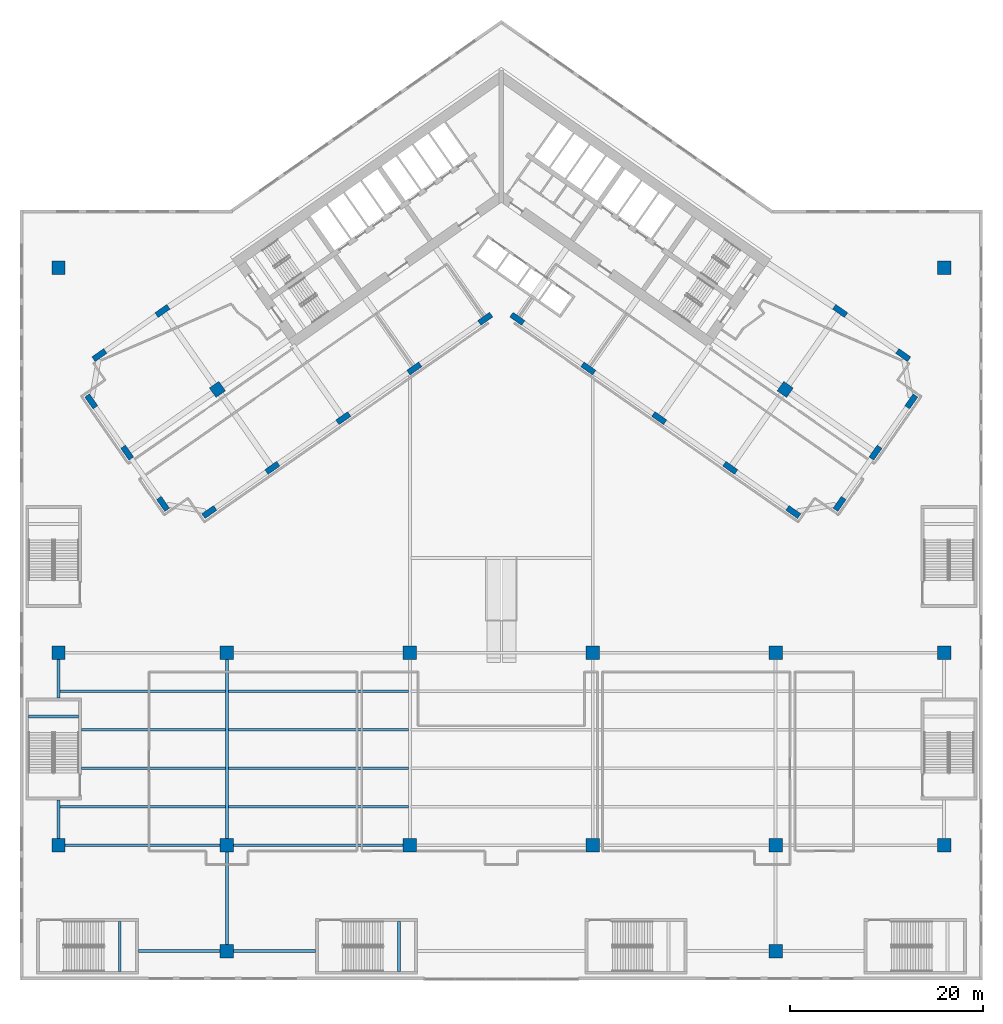
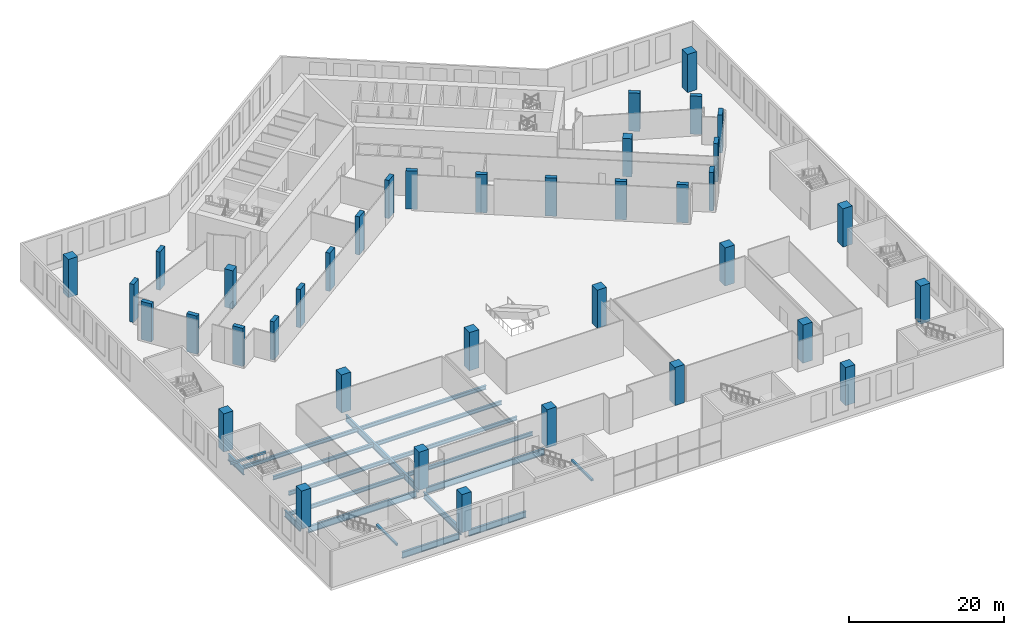
# One storey, part 1 of 25: 38 columns, 19 beams.
"""IFC4 building model written with IfcOpenShell, lengths in metres."""

import ifcopenshell
import ifcopenshell.guid

model = None  # the IFC model being written
_history = None  # IfcOwnerHistory: only IFC2X3 demands one
_inside = {}  # id of a spatial element -> (the spatial element, [elements in it])
_under = {}  # id of a project, library or spatial element -> (it, [spatial elements below it])
_declared = {}  # id of a project -> (the project, [libraries it declares])
_typed = {}  # id of a type object -> (the type object, [elements of that type])
_made_of = {}  # id of a material, layer set ... -> (it, [elements and type objects made of it])


def new_model(schema):
    """Start an empty IFC model of exactly this schema.

    Asked for "IFC4X3", IfcOpenShell would pick the latest addendum, in which some entities
    have other attributes; the version numbers below select the first issue.
    IFC2X3 requires an IfcOwnerHistory on every rooted entity: one is made here for all.
    """
    global model, _history
    if schema == "IFC4X3":
        model = ifcopenshell.file(schema_version=(4, 3, 0, 0))
    else:
        model = ifcopenshell.file(schema=schema)
    _inside.clear()
    _under.clear()
    _declared.clear()
    _typed.clear()
    _made_of.clear()
    _history = None
    if model.schema == "IFC2X3":
        org = make("IfcOrganization", Name="unknown")
        user = make(
            "IfcPersonAndOrganization",
            ThePerson=make("IfcPerson", FamilyName="unknown"),
            TheOrganization=org,
        )
        app = make(
            "IfcApplication",
            ApplicationDeveloper=org,
            Version="unknown",
            ApplicationFullName="unknown",
            ApplicationIdentifier="unknown",
        )
        _history = make(
            "IfcOwnerHistory",
            OwningUser=user,
            OwningApplication=app,
            ChangeAction="ADDED",
            CreationDate=0,
        )
    return model


def make(cls, **values):
    """One entity of the class cls with the attributes given. An attribute that is None is left unset."""
    return model.create_entity(
        cls, **{name: value for name, value in values.items() if value is not None}
    )


def rooted(cls, **values):
    """An entity with a GlobalId (a new one), such as an element, a storey or a relation."""
    return make(cls, GlobalId=ifcopenshell.guid.new(), OwnerHistory=_history, **values)


def si_unit(unit_type, name, prefix=None):
    """IfcSIUnit, for example si_unit("LENGTHUNIT", "METRE", prefix="MILLI")."""
    return make("IfcSIUnit", UnitType=unit_type, Prefix=prefix, Name=name)


def assignment(units):
    """IfcUnitAssignment: the units of a project."""
    return None if units is None else make("IfcUnitAssignment", Units=units)


def point(xyz):
    """IfcCartesianPoint."""
    return None if xyz is None else make("IfcCartesianPoint", Coordinates=xyz)


def direction(xyz):
    """IfcDirection."""
    return None if xyz is None else make("IfcDirection", DirectionRatios=xyz)


def frame(location, z_axis=None, x_axis=None):
    """IfcAxis2Placement3D, a coordinate frame: its origin and axes. An axis left out is left unset."""
    return make(
        "IfcAxis2Placement3D",
        Location=point(location),
        Axis=direction(z_axis),
        RefDirection=direction(x_axis),
    )


def frame_2d(location, x_axis=None):
    """IfcAxis2Placement2D, a coordinate frame in the plane: its origin and x axis."""
    return make(
        "IfcAxis2Placement2D", Location=point(location), RefDirection=direction(x_axis)
    )


def origin():
    """The frame at (0, 0, 0) with its axes left unset."""
    return frame((0.0, 0.0, 0.0))


def origin_2d():
    """The frame at (0, 0) in the plane with its x axis left unset."""
    return frame_2d((0.0, 0.0))


def place(relative_to, where):
    """IfcLocalPlacement: puts the frame where relative to a parent placement (None: the world)."""
    return make(
        "IfcLocalPlacement", PlacementRelTo=relative_to, RelativePlacement=where
    )


def context(
    kind, dimensions, precision=None, world=None, true_north=None, identifier=None
):
    """IfcGeometricRepresentationContext, for example the 3D "Model" context."""
    return make(
        "IfcGeometricRepresentationContext",
        ContextIdentifier=identifier,
        ContextType=kind,
        CoordinateSpaceDimension=dimensions,
        Precision=precision,
        WorldCoordinateSystem=world,
        TrueNorth=true_north,
    )


def subcontext(parent, identifier, kind, view, scale=None):
    """IfcGeometricRepresentationSubContext, for example "Body" below "Model"."""
    return make(
        "IfcGeometricRepresentationSubContext",
        ContextIdentifier=identifier,
        ContextType=kind,
        ParentContext=parent,
        TargetScale=scale,
        TargetView=view,
    )


def project(units=None, contexts=None):
    """IfcProject with its units and contexts."""
    return rooted(
        "IfcProject",
        Name="project",
        RepresentationContexts=contexts,
        UnitsInContext=assignment(units),
    )


def spatial(cls, under=None, at=None, **own):
    """A site, building, storey or space (cls), placed at a placement, below another one or the project."""
    s = rooted(cls, ObjectPlacement=at, **own)
    if under is not None:
        _under.setdefault(under.id(), (under, []))[1].append(s)
    return s


def profile(cls, at=None, kind="AREA", **sizes):
    """A parametric profile (cls). Its sizes go by their IFC names, for example OverallWidth=200.0."""
    return make(cls, ProfileType=kind, Position=at, **sizes)


def rectangle(**sizes):
    """IfcRectangleProfileDef."""
    return profile("IfcRectangleProfileDef", **sizes)


def i_section(**sizes):
    """IfcIShapeProfileDef."""
    return profile("IfcIShapeProfileDef", **sizes)


def extrude(swept, where, along, depth):
    """IfcExtrudedAreaSolid: the profile swept, set in the frame where, extruded along a direction by depth."""
    return make(
        "IfcExtrudedAreaSolid",
        SweptArea=swept,
        Position=where,
        ExtrudedDirection=direction(along),
        Depth=depth,
    )


def shape(context_of_items, identifier, shape_type, items):
    """IfcShapeRepresentation: the items that make up one representation, for example the "Body"."""
    return make(
        "IfcShapeRepresentation",
        ContextOfItems=context_of_items,
        RepresentationIdentifier=identifier,
        RepresentationType=shape_type,
        Items=items,
    )


def material(Name=None, Category=None):
    """IfcMaterial."""
    return make("IfcMaterial", Name=Name, Category=Category)


def material_profile(
    of_material, cross_section, Name=None, Category=None, Priority=None
):
    """IfcMaterialProfile: a cross section and its material."""
    return make(
        "IfcMaterialProfile",
        Name=Name,
        Material=of_material,
        Profile=cross_section,
        Priority=Priority,
        Category=Category,
    )


def profile_set(profiles, Name=None, composite=None):
    """IfcMaterialProfileSet."""
    return make(
        "IfcMaterialProfileSet",
        Name=Name,
        MaterialProfiles=profiles,
        CompositeProfile=composite,
    )


def made_of(thing, what):
    """Note that an element or type object is made of a material, layer set ...; save() writes the relation."""
    if what is not None:
        _made_of.setdefault(what.id(), (what, []))[1].append(thing)
    return thing


def type_object(cls, material=None, **own):
    """A type object (cls), such as IfcWallType, which elements share."""
    return made_of(rooted(cls, **own), material)


def element(
    cls,
    number,
    at=None,
    inside=None,
    cuts=None,
    type_object=None,
    material=None,
    context=None,
    identifier="Body",
    shape_type=None,
    held_by="IfcProductDefinitionShape",
    body=None,
    shapes=None,
    **own,
):
    """One element of the class cls, such as IfcWall. Its Tag is "e" and its number.

    at: its placement. inside: the storey or other place that contains it. cuts: it is an
    opening in that element (IfcRelVoidsElement). A single representation is given by context,
    identifier, shape_type and body (its items); several are given by shapes. held_by: the class
    of the entity that holds the representations. save() writes the other relations.
    """
    e = rooted(cls, Tag="e%d" % number, ObjectPlacement=at, **own)
    if body is not None:
        shapes = [shape(context, identifier, shape_type, body)]
    if shapes is not None:
        e.Representation = make(held_by, Representations=shapes)
    if inside is not None:
        _inside.setdefault(inside.id(), (inside, []))[1].append(e)
    if cuts is not None:
        rooted(
            "IfcRelVoidsElement", RelatingBuildingElement=cuts, RelatedOpeningElement=e
        )
    if type_object is not None:
        _typed.setdefault(type_object.id(), (type_object, []))[1].append(e)
    return made_of(e, material)


def aggregate(whole, parts):
    """IfcRelAggregates: a whole, such as a stair, and the parts it consists of."""
    return rooted("IfcRelAggregates", RelatingObject=whole, RelatedObjects=parts)


def save(model, path):
    """Write the relations noted so far, then the file.

    IfcRelAggregates (storeys below a building ...), IfcRelContainedInSpatialStructure (elements
    in a storey), IfcRelDefinesByType, IfcRelAssociatesMaterial and IfcRelDeclares: one each for
    every whole, place, type object, material and project.
    """
    for whole, parts in _under.values():
        aggregate(whole, parts)
    for where, things in _inside.values():
        rooted(
            "IfcRelContainedInSpatialStructure",
            RelatedElements=things,
            RelatingStructure=where,
        )
    for kind, things in _typed.values():
        rooted("IfcRelDefinesByType", RelatedObjects=things, RelatingType=kind)
    for what, things in _made_of.values():
        rooted("IfcRelAssociatesMaterial", RelatedObjects=things, RelatingMaterial=what)
    for by, libraries in _declared.values():
        rooted("IfcRelDeclares", RelatingContext=by, RelatedDefinitions=libraries)
    model.write(path)


model = new_model("IFC4")

# Units and contexts
model_context = context("Model", 3, precision=1e-05, world=origin(), true_north=direction((0.0, 1.0)))
body_context = subcontext(model_context, "Body", "Model", "MODEL_VIEW")
ifc_project = project(units=[si_unit("LENGTHUNIT", "METRE"), si_unit("AREAUNIT", "SQUARE_METRE"), si_unit("VOLUMEUNIT", "CUBIC_METRE"), si_unit("PLANEANGLEUNIT", "RADIAN"), si_unit("MASSUNIT", "GRAM", prefix="KILO")], contexts=[model_context])

# Site, building, storey
site_placement = place(None, origin())
site = spatial("IfcSite", under=ifc_project, at=site_placement, CompositionType="ELEMENT")
building_placement = place(site_placement, origin())
building = spatial("IfcBuilding", under=site, at=building_placement, Name="Tel Ilan Convention Tower", CompositionType="ELEMENT")
storey_placement = place(building_placement, frame((0.0, 0.0, 26.0)))
storey = spatial("IfcBuildingStorey", under=building, at=storey_placement, Name="L03", CompositionType="ELEMENT", Elevation=26.0)

# Columns
ifc_material_1 = material(Name="Concrete C60/75", Category="concrete")
ifc_material_profile_1 = material_profile(ifc_material_1, rectangle(XDim=1.199951171875, YDim=1.199951171875, at=origin_2d()), Name="RC 1200x1200")
ifc_profile_set_1 = profile_set([ifc_material_profile_1], Name="Concrete C60/75")
column_type_1 = type_object("IfcColumnType", Name="Column RC 1200x1200 C60/75", PredefinedType="COLUMN", material=ifc_profile_set_1)
for number, where, z_axis, x_axis, name in (
    (1, (-29.489501953125, -20.648681640625, 0.0), (0.0, 0.0, 1.0), (-0.819152044289, -0.573576436351, 0.0), "L03 column W-M4"),
    (2, (29.489501953125, -20.648681640625, 0.0), (0.0, 0.0, 1.0), (0.819152044289, -0.573576436351, 0.0), "L03 column E-M4"),
):
    element("IfcColumn", number, at=place(storey_placement, frame(where, z_axis=z_axis, x_axis=x_axis)), inside=storey, type_object=column_type_1, Name=name, PredefinedType="COLUMN", context=body_context, shape_type="SweptSolid", body=[
        extrude(rectangle(XDim=1.199951171875, YDim=1.199951171875, at=origin_2d()), origin(), (0.0, 0.0, 1.0), 6.0),
    ])
ifc_material_2 = material(Name="Concrete C50/60", Category="concrete")
ifc_material_profile_2 = material_profile(ifc_material_2, rectangle(XDim=1.39990234375, YDim=1.39990234375, at=origin_2d()), Name="RC 1400x1400")
ifc_profile_set_2 = profile_set([ifc_material_profile_2], Name="Concrete C50/60")
column_type_2 = type_object("IfcColumnType", Name="Column RC 1400x1400 C50/60", PredefinedType="COLUMN", material=ifc_profile_set_2)
for number, where, z_axis, x_axis, name in (
    (3, (-28.5, -79.0, 0.0), (0.0, 0.0, 1.0), (1.0, 0.0, 0.0), "L03 column PC12"),
    (4, (28.5, -79.0, 0.0), (0.0, 0.0, 1.0), (1.0, 0.0, 0.0), "L03 column PC15"),
    (5, (-46.0, -68.0, 0.0), (0.0, 0.0, 1.0), (1.0, 0.0, 0.0), "L03 column PC21"),
    (6, (-28.5, -68.0, 0.0), (0.0, 0.0, 1.0), (1.0, 0.0, 0.0), "L03 column PC22"),
    (7, (-9.5, -68.0, 0.0), (0.0, 0.0, 1.0), (1.0, 0.0, 0.0), "L03 column PC23"),
    (8, (9.5, -68.0, 0.0), (0.0, 0.0, 1.0), (1.0, 0.0, 0.0), "L03 column PC24"),
    (9, (28.5, -68.0, 0.0), (0.0, 0.0, 1.0), (1.0, 0.0, 0.0), "L03 column PC25"),
    (10, (46.0, -68.0, 0.0), (0.0, 0.0, 1.0), (1.0, 0.0, 0.0), "L03 column PC26"),
    (11, (-46.0, -48.0, 0.0), (0.0, 0.0, 1.0), (1.0, 0.0, 0.0), "L03 column PC31"),
    (12, (-28.5, -48.0, 0.0), (0.0, 0.0, 1.0), (1.0, 0.0, 0.0), "L03 column PC32"),
    (13, (-9.5, -48.0, 0.0), (0.0, 0.0, 1.0), (1.0, 0.0, 0.0), "L03 column PC33"),
    (14, (9.5, -48.0, 0.0), (0.0, 0.0, 1.0), (1.0, 0.0, 0.0), "L03 column PC34"),
    (15, (28.5, -48.0, 0.0), (0.0, 0.0, 1.0), (1.0, 0.0, 0.0), "L03 column PC35"),
    (16, (46.0, -48.0, 0.0), (0.0, 0.0, 1.0), (1.0, 0.0, 0.0), "L03 column PC36"),
    (17, (-46.0, -8.0, 0.0), (0.0, 0.0, 1.0), (1.0, 0.0, 0.0), "L03 column PC51"),
    (18, (46.0, -8.0, 0.0), (0.0, 0.0, 1.0), (1.0, 0.0, 0.0), "L03 column PC56"),
):
    element("IfcColumn", number, at=place(storey_placement, frame(where, z_axis=z_axis, x_axis=x_axis)), inside=storey, type_object=column_type_2, Name=name, PredefinedType="COLUMN", context=body_context, shape_type="SweptSolid", body=[
        extrude(rectangle(XDim=1.39990234375, YDim=1.39990234375, at=origin_2d()), origin(), (0.0, 0.0, 1.0), 6.0),
    ])
ifc_material_3 = material(Name="Concrete C60/75", Category="concrete")
ifc_material_profile_3 = material_profile(ifc_material_3, rectangle(XDim=1.5, YDim=0.60009765625, at=origin_2d()), Name="RC 600x1500")
ifc_profile_set_3 = profile_set([ifc_material_profile_3], Name="Concrete C60/75")
column_type_3 = type_object("IfcColumnType", Name="Column RC 600x1500 C60/75", PredefinedType="COLUMN", material=ifc_profile_set_3)
for number, where, z_axis, x_axis, name in (
    (19, (-1.665283203125, -13.312744140625, 0.0), (0.0, 0.0, 1.0), (-0.819152044289, -0.573576436351, 0.0), "L03 column W-F1"),
    (20, (-9.03759765625, -18.474853515625, 0.0), (0.0, 0.0, 1.0), (-0.819152044289, -0.573576436351, 0.0), "L03 column W-F2"),
    (21, (-16.409912109375, -23.63720703125, 0.0), (0.0, 0.0, 1.0), (-0.819152044289, -0.573576436351, 0.0), "L03 column W-F3"),
    (22, (-23.782470703125, -28.79931640625, 0.0), (0.0, 0.0, 1.0), (-0.819152044289, -0.573576436351, 0.0), "L03 column W-F4"),
    (23, (-30.335693359375, -33.387939453125, 0.0), (0.0, 0.0, 1.0), (-0.819152044289, -0.573576436351, 0.0), "L03 column W-FC"),
    (24, (-35.196533203125, -12.498291015625, 0.0), (0.0, 0.0, 1.0), (-0.819152044289, -0.573576436351, 0.0), "L03 column W-B4"),
    (25, (-41.749755859375, -17.0869140625, 0.0), (0.0, 0.0, 1.0), (-0.819152044289, -0.573576436351, 0.0), "L03 column W-BC"),
    (26, (-35.140380859375, -32.540771484375, 0.0), (0.0, 0.0, 1.0), (-0.573576436351, 0.819152044289, 0.0), "L03 column W-E1"),
    (27, (-38.868896484375, -27.21630859375, 0.0), (0.0, 0.0, 1.0), (-0.573576436351, 0.819152044289, 0.0), "L03 column W-E2"),
    (28, (-42.596923828125, -21.8916015625, 0.0), (0.0, 0.0, 1.0), (-0.573576436351, 0.819152044289, 0.0), "L03 column W-E3"),
    (29, (1.665283203125, -13.312744140625, 0.0), (0.0, 0.0, 1.0), (0.819152044289, -0.573576436351, 0.0), "L03 column E-F1"),
    (30, (9.03759765625, -18.474853515625, 0.0), (0.0, 0.0, 1.0), (0.819152044289, -0.573576436351, 0.0), "L03 column E-F2"),
    (31, (16.409912109375, -23.63720703125, 0.0), (0.0, 0.0, 1.0), (0.819152044289, -0.573576436351, 0.0), "L03 column E-F3"),
    (32, (23.782470703125, -28.79931640625, 0.0), (0.0, 0.0, 1.0), (0.819152044289, -0.573576436351, 0.0), "L03 column E-F4"),
    (33, (30.335693359375, -33.387939453125, 0.0), (0.0, 0.0, 1.0), (0.819152044289, -0.573576436351, 0.0), "L03 column E-FC"),
    (34, (35.196533203125, -12.498291015625, 0.0), (0.0, 0.0, 1.0), (0.819152044289, -0.573576436351, 0.0), "L03 column E-B4"),
    (35, (41.749755859375, -17.0869140625, 0.0), (0.0, 0.0, 1.0), (0.819152044289, -0.573576436351, 0.0), "L03 column E-BC"),
    (36, (35.140380859375, -32.540771484375, 0.0), (0.0, 0.0, 1.0), (0.573576436351, 0.819152044289, 0.0), "L03 column E-E1"),
    (37, (38.868896484375, -27.21630859375, 0.0), (0.0, 0.0, 1.0), (0.573576436351, 0.819152044289, 0.0), "L03 column E-E2"),
    (38, (42.596923828125, -21.8916015625, 0.0), (0.0, 0.0, 1.0), (0.573576436351, 0.819152044289, 0.0), "L03 column E-E3"),
):
    element("IfcColumn", number, at=place(storey_placement, frame(where, z_axis=z_axis, x_axis=x_axis)), inside=storey, type_object=column_type_3, Name=name, PredefinedType="COLUMN", context=body_context, shape_type="SweptSolid", body=[
        extrude(rectangle(XDim=1.5, YDim=0.60009765625, at=origin_2d()), origin(), (0.0, 0.0, 1.0), 6.0),
    ])

# Beams
ifc_material_4 = material(Name="Steel S355", Category="steel")
ifc_material_profile_4 = material_profile(ifc_material_4, i_section(OverallWidth=0.300048828125, OverallDepth=1.0, WebThickness=0.01904296875, FlangeThickness=0.035888671875, FilletRadius=0.030029296875, at=origin_2d()), Name="HEB 1000")
ifc_profile_set_4 = profile_set([ifc_material_profile_4], Name="Steel S355")
beam_type_1 = type_object("IfcBeamType", Name="Girder HEB 1000 Steel S355", PredefinedType="BEAM", material=ifc_profile_set_4)
beam_1_placement = place(storey_placement, frame((-45.300048828125, -68.0, -0.89990234375), z_axis=(1.0, 0.0, 0.0), x_axis=(0.0, 1.0, 0.0)))
element("IfcBeam", 39, at=beam_1_placement, inside=storey, type_object=beam_type_1, Name="L03 beam GX21-2", PredefinedType="BEAM", context=body_context, shape_type="SweptSolid", body=[
    extrude(i_section(OverallWidth=0.300048828125, OverallDepth=1.0, WebThickness=0.01904296875, FlangeThickness=0.035888671875, FilletRadius=0.030029296875, at=origin_2d()), origin(), (0.0, 0.0, 1.0), 16.10009765625),
])
beam_2_placement = place(storey_placement, frame((-27.800048828125, -68.0, -0.89990234375), z_axis=(1.0, 0.0, 0.0), x_axis=(0.0, 1.0, 0.0)))
element("IfcBeam", 40, at=beam_2_placement, inside=storey, type_object=beam_type_1, Name="L03 beam GX22-3", PredefinedType="BEAM", context=body_context, shape_type="SweptSolid", body=[
    extrude(i_section(OverallWidth=0.300048828125, OverallDepth=1.0, WebThickness=0.01904296875, FlangeThickness=0.035888671875, FilletRadius=0.030029296875, at=origin_2d()), origin(), (0.0, 0.0, 1.0), 17.60009765625),
])
for number, where, z_axis, x_axis, name in (
    (41, (-46.0, -67.300048828125, -0.89990234375), (0.0, 1.0, 0.0), (-1.0, 0.0, 0.0), "L03 beam GY12-3"),
    (42, (-46.0, -52.699951171875, -0.89990234375), (0.0, 1.0, 0.0), (-1.0, 0.0, 0.0), "L03 beam GY12-3"),
):
    element("IfcBeam", number, at=place(storey_placement, frame(where, z_axis=z_axis, x_axis=x_axis)), inside=storey, type_object=beam_type_1, Name=name, PredefinedType="BEAM", context=body_context, shape_type="SweptSolid", body=[
        extrude(i_section(OverallWidth=0.300048828125, OverallDepth=1.0, WebThickness=0.01904296875, FlangeThickness=0.035888671875, FilletRadius=0.030029296875, at=origin_2d()), origin(), (0.0, 0.0, 1.0), 4.0),
    ])
beam_3_placement = place(storey_placement, frame((-28.5, -78.300048828125, -0.89990234375), z_axis=(0.0, 1.0, 0.0), x_axis=(-1.0, 0.0, 0.0)))
element("IfcBeam", 43, at=beam_3_placement, inside=storey, type_object=beam_type_1, Name="L03 beam GY21-2", PredefinedType="BEAM", context=body_context, shape_type="SweptSolid", body=[
    extrude(i_section(OverallWidth=0.300048828125, OverallDepth=1.0, WebThickness=0.01904296875, FlangeThickness=0.035888671875, FilletRadius=0.030029296875, at=origin_2d()), origin(), (0.0, 0.0, 1.0), 9.60009765625),
])
beam_4_placement = place(storey_placement, frame((-28.5, -67.300048828125, -0.89990234375), z_axis=(0.0, 1.0, 0.0), x_axis=(-1.0, 0.0, 0.0)))
element("IfcBeam", 44, at=beam_4_placement, inside=storey, type_object=beam_type_1, Name="L03 beam GY22-3", PredefinedType="BEAM", context=body_context, shape_type="SweptSolid", body=[
    extrude(i_section(OverallWidth=0.300048828125, OverallDepth=1.0, WebThickness=0.01904296875, FlangeThickness=0.035888671875, FilletRadius=0.030029296875, at=origin_2d()), origin(), (0.0, 0.0, 1.0), 18.60009765625),
])
for number, where, z_axis, x_axis, name in (
    (45, (-37.699951171875, -79.0, -0.89990234375), (1.0, 0.0, 0.0), (0.0, 1.0, 0.0), "L03 beam GS19"),
    (46, (-27.800048828125, -79.0, -0.89990234375), (1.0, 0.0, 0.0), (0.0, 1.0, 0.0), "L03 beam GS20"),
):
    element("IfcBeam", number, at=place(storey_placement, frame(where, z_axis=z_axis, x_axis=x_axis)), inside=storey, type_object=beam_type_1, Name=name, PredefinedType="BEAM", context=body_context, shape_type="SweptSolid", body=[
        extrude(i_section(OverallWidth=0.300048828125, OverallDepth=1.0, WebThickness=0.01904296875, FlangeThickness=0.035888671875, FilletRadius=0.030029296875, at=origin_2d()), origin(), (0.0, 0.0, 1.0), 8.5),
    ])
ifc_material_5 = material(Name="Steel S355", Category="steel")
ifc_material_profile_5 = material_profile(ifc_material_5, i_section(OverallWidth=0.300048828125, OverallDepth=0.60009765625, WebThickness=0.015380859375, FlangeThickness=0.030029296875, FilletRadius=0.027099609375, at=origin_2d()), Name="HEB 600")
ifc_profile_set_5 = profile_set([ifc_material_profile_5], Name="Steel S355")
beam_type_2 = type_object("IfcBeamType", Name="Joist HEB 600 Steel S355", PredefinedType="JOIST", material=ifc_profile_set_5)
beam_5_placement = place(storey_placement, frame((-45.860107421875, -64.0, -0.699951171875), z_axis=(1.0, 0.0, 0.0), x_axis=(0.0, 1.0, 0.0)))
element("IfcBeam", 47, at=beam_5_placement, inside=storey, type_object=beam_type_2, Name="L03 beam J1--68-1", PredefinedType="JOIST", context=body_context, shape_type="SweptSolid", body=[
    extrude(i_section(OverallWidth=0.300048828125, OverallDepth=0.60009765625, WebThickness=0.015380859375, FlangeThickness=0.030029296875, FilletRadius=0.027099609375, at=origin_2d()), origin(), (0.0, 0.0, 1.0), 17.22021484375),
])
for number, where, z_axis, x_axis, name in (
    (48, (-43.60009765625, -60.0, -0.699951171875), (1.0, 0.0, 0.0), (0.0, 1.0, 0.0), "L03 beam J1--68-2"),
    (49, (-43.60009765625, -56.0, -0.699951171875), (1.0, 0.0, 0.0), (0.0, 1.0, 0.0), "L03 beam J1--68-3"),
):
    element("IfcBeam", number, at=place(storey_placement, frame(where, z_axis=z_axis, x_axis=x_axis)), inside=storey, type_object=beam_type_2, Name=name, PredefinedType="JOIST", context=body_context, shape_type="SweptSolid", body=[
        extrude(i_section(OverallWidth=0.300048828125, OverallDepth=0.60009765625, WebThickness=0.015380859375, FlangeThickness=0.030029296875, FilletRadius=0.027099609375, at=origin_2d()), origin(), (0.0, 0.0, 1.0), 14.960205078125),
    ])
beam_6_placement = place(storey_placement, frame((-45.860107421875, -52.0, -0.699951171875), z_axis=(1.0, 0.0, 0.0), x_axis=(0.0, 1.0, 0.0)))
element("IfcBeam", 50, at=beam_6_placement, inside=storey, type_object=beam_type_2, Name="L03 beam J1--68-4", PredefinedType="JOIST", context=body_context, shape_type="SweptSolid", body=[
    extrude(i_section(OverallWidth=0.300048828125, OverallDepth=0.60009765625, WebThickness=0.015380859375, FlangeThickness=0.030029296875, FilletRadius=0.027099609375, at=origin_2d()), origin(), (0.0, 0.0, 1.0), 17.22021484375),
])
for number, where, z_axis, x_axis, name in (
    (51, (-28.360107421875, -64.0, -0.699951171875), (1.0, 0.0, 0.0), (0.0, 1.0, 0.0), "L03 beam J2--68-1"),
    (52, (-28.360107421875, -60.0, -0.699951171875), (1.0, 0.0, 0.0), (0.0, 1.0, 0.0), "L03 beam J2--68-2"),
    (53, (-28.360107421875, -56.0, -0.699951171875), (1.0, 0.0, 0.0), (0.0, 1.0, 0.0), "L03 beam J2--68-3"),
    (54, (-28.360107421875, -52.0, -0.699951171875), (1.0, 0.0, 0.0), (0.0, 1.0, 0.0), "L03 beam J2--68-4"),
):
    element("IfcBeam", number, at=place(storey_placement, frame(where, z_axis=z_axis, x_axis=x_axis)), inside=storey, type_object=beam_type_2, Name=name, PredefinedType="JOIST", context=body_context, shape_type="SweptSolid", body=[
        extrude(i_section(OverallWidth=0.300048828125, OverallDepth=0.60009765625, WebThickness=0.015380859375, FlangeThickness=0.030029296875, FilletRadius=0.027099609375, at=origin_2d()), origin(), (0.0, 0.0, 1.0), 18.72021484375),
    ])
ifc_material_6 = material(Name="Concrete C40/50", Category="concrete")
ifc_material_profile_6 = material_profile(ifc_material_6, rectangle(XDim=0.300048828125, YDim=0.300048828125, at=origin_2d()), Name="RC 300x300")
ifc_profile_set_6 = profile_set([ifc_material_profile_6], Name="Concrete C40/50")
beam_type_3 = type_object("IfcBeamType", Name="Landing Beam RC 300x300 Concrete C40/50", PredefinedType="BEAM", material=ifc_profile_set_6)
for number, where, z_axis, x_axis, name in (
    (55, (-39.637939453125, -81.10009765625, 2.64990234375), (0.0, 1.0, 0.0), (-1.0, 0.0, 0.0), "P1 landing beam L03.1"),
    (56, (-10.637939453125, -81.10009765625, 2.64990234375), (0.0, 1.0, 0.0), (-1.0, 0.0, 0.0), "P2 landing beam L03.1"),
    (57, (-43.89990234375, -54.637939453125, 2.64990234375), (-1.0, 0.0, 0.0), (0.0, -1.0, 0.0), "P5 landing beam L03.1"),
):
    element("IfcBeam", number, at=place(storey_placement, frame(where, z_axis=z_axis, x_axis=x_axis)), inside=storey, type_object=beam_type_3, Name=name, PredefinedType="BEAM", context=body_context, shape_type="SweptSolid", body=[
        extrude(rectangle(XDim=0.300048828125, YDim=0.300048828125, at=origin_2d()), origin(), (0.0, 0.0, 1.0), 5.2001953125),
    ])

save(model, "model.ifc")
